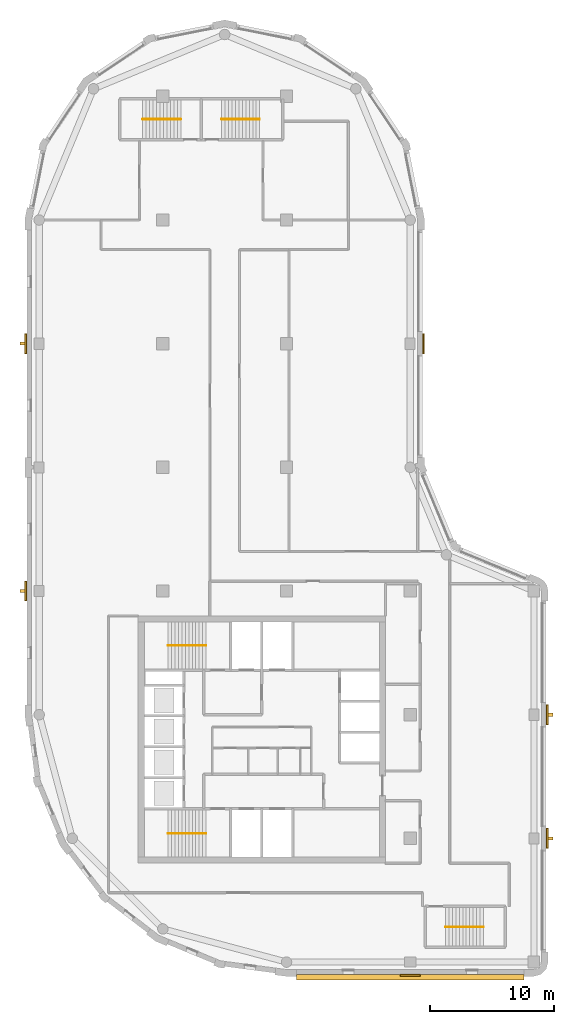
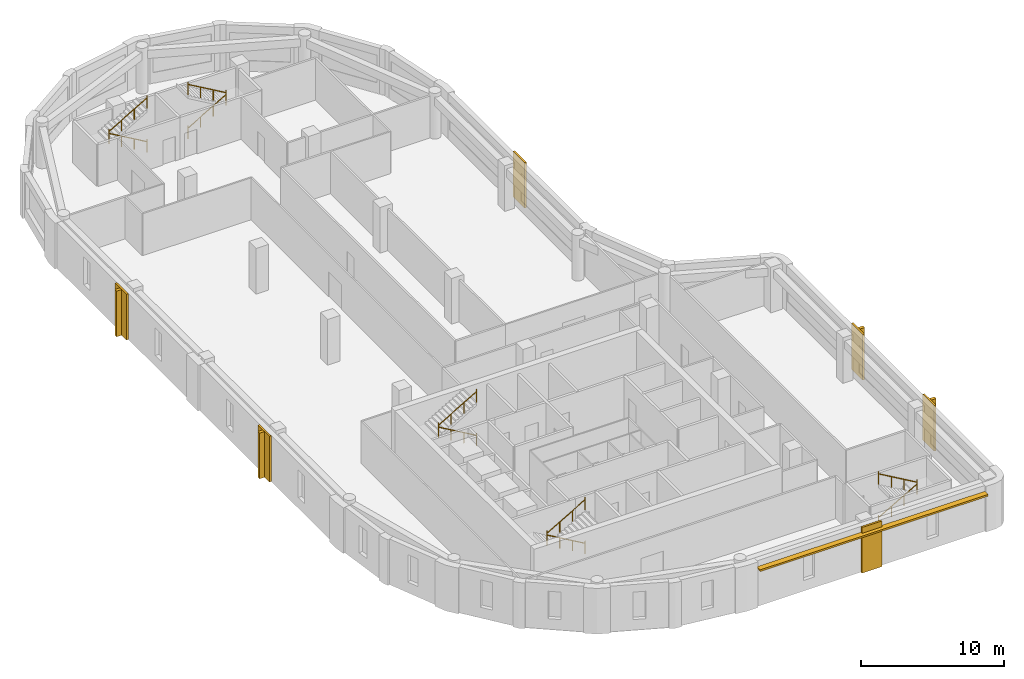
# One storey, part 7 of 8: 10 railings, 6 coverings, 5 shading devices.
"""IFC4 building model written with IfcOpenShell, lengths in metres."""

import ifcopenshell
import ifcopenshell.guid

model = None  # the IFC model being written
_history = None  # IfcOwnerHistory: only IFC2X3 demands one
_inside = {}  # id of a spatial element -> (the spatial element, [elements in it])
_under = {}  # id of a project, library or spatial element -> (it, [spatial elements below it])
_declared = {}  # id of a project -> (the project, [libraries it declares])
_typed = {}  # id of a type object -> (the type object, [elements of that type])
_made_of = {}  # id of a material, layer set ... -> (it, [elements and type objects made of it])


def new_model(schema):
    """Start an empty IFC model of exactly this schema.

    Asked for "IFC4X3", IfcOpenShell would pick the latest addendum, in which some entities
    have other attributes; the version numbers below select the first issue.
    IFC2X3 requires an IfcOwnerHistory on every rooted entity: one is made here for all.
    """
    global model, _history
    if schema == "IFC4X3":
        model = ifcopenshell.file(schema_version=(4, 3, 0, 0))
    else:
        model = ifcopenshell.file(schema=schema)
    _inside.clear()
    _under.clear()
    _declared.clear()
    _typed.clear()
    _made_of.clear()
    _history = None
    if model.schema == "IFC2X3":
        org = make("IfcOrganization", Name="unknown")
        user = make(
            "IfcPersonAndOrganization",
            ThePerson=make("IfcPerson", FamilyName="unknown"),
            TheOrganization=org,
        )
        app = make(
            "IfcApplication",
            ApplicationDeveloper=org,
            Version="unknown",
            ApplicationFullName="unknown",
            ApplicationIdentifier="unknown",
        )
        _history = make(
            "IfcOwnerHistory",
            OwningUser=user,
            OwningApplication=app,
            ChangeAction="ADDED",
            CreationDate=0,
        )
    return model


def make(cls, **values):
    """One entity of the class cls with the attributes given. An attribute that is None is left unset."""
    return model.create_entity(
        cls, **{name: value for name, value in values.items() if value is not None}
    )


def rooted(cls, **values):
    """An entity with a GlobalId (a new one), such as an element, a storey or a relation."""
    return make(cls, GlobalId=ifcopenshell.guid.new(), OwnerHistory=_history, **values)


def si_unit(unit_type, name, prefix=None):
    """IfcSIUnit, for example si_unit("LENGTHUNIT", "METRE", prefix="MILLI")."""
    return make("IfcSIUnit", UnitType=unit_type, Prefix=prefix, Name=name)


def assignment(units):
    """IfcUnitAssignment: the units of a project."""
    return None if units is None else make("IfcUnitAssignment", Units=units)


def point(xyz):
    """IfcCartesianPoint."""
    return None if xyz is None else make("IfcCartesianPoint", Coordinates=xyz)


def direction(xyz):
    """IfcDirection."""
    return None if xyz is None else make("IfcDirection", DirectionRatios=xyz)


def frame(location, z_axis=None, x_axis=None):
    """IfcAxis2Placement3D, a coordinate frame: its origin and axes. An axis left out is left unset."""
    return make(
        "IfcAxis2Placement3D",
        Location=point(location),
        Axis=direction(z_axis),
        RefDirection=direction(x_axis),
    )


def frame_2d(location, x_axis=None):
    """IfcAxis2Placement2D, a coordinate frame in the plane: its origin and x axis."""
    return make(
        "IfcAxis2Placement2D", Location=point(location), RefDirection=direction(x_axis)
    )


def origin():
    """The frame at (0, 0, 0) with its axes left unset."""
    return frame((0.0, 0.0, 0.0))


def origin_2d():
    """The frame at (0, 0) in the plane with its x axis left unset."""
    return frame_2d((0.0, 0.0))


def place(relative_to, where):
    """IfcLocalPlacement: puts the frame where relative to a parent placement (None: the world)."""
    return make(
        "IfcLocalPlacement", PlacementRelTo=relative_to, RelativePlacement=where
    )


def context(
    kind, dimensions, precision=None, world=None, true_north=None, identifier=None
):
    """IfcGeometricRepresentationContext, for example the 3D "Model" context."""
    return make(
        "IfcGeometricRepresentationContext",
        ContextIdentifier=identifier,
        ContextType=kind,
        CoordinateSpaceDimension=dimensions,
        Precision=precision,
        WorldCoordinateSystem=world,
        TrueNorth=true_north,
    )


def subcontext(parent, identifier, kind, view, scale=None):
    """IfcGeometricRepresentationSubContext, for example "Body" below "Model"."""
    return make(
        "IfcGeometricRepresentationSubContext",
        ContextIdentifier=identifier,
        ContextType=kind,
        ParentContext=parent,
        TargetScale=scale,
        TargetView=view,
    )


def project(units=None, contexts=None):
    """IfcProject with its units and contexts."""
    return rooted(
        "IfcProject",
        Name="project",
        RepresentationContexts=contexts,
        UnitsInContext=assignment(units),
    )


def spatial(cls, under=None, at=None, **own):
    """A site, building, storey or space (cls), placed at a placement, below another one or the project."""
    s = rooted(cls, ObjectPlacement=at, **own)
    if under is not None:
        _under.setdefault(under.id(), (under, []))[1].append(s)
    return s


def polyline(points):
    """IfcPolyline through the points."""
    return make("IfcPolyline", Points=[point(p) for p in points])


def profile(cls, at=None, kind="AREA", **sizes):
    """A parametric profile (cls). Its sizes go by their IFC names, for example OverallWidth=200.0."""
    return make(cls, ProfileType=kind, Position=at, **sizes)


def rectangle(**sizes):
    """IfcRectangleProfileDef."""
    return profile("IfcRectangleProfileDef", **sizes)


def circle(**sizes):
    """IfcCircleProfileDef."""
    return profile("IfcCircleProfileDef", **sizes)


def outline(outer, holes=None, kind="AREA"):
    """IfcArbitraryClosedProfileDef: a profile drawn as a closed curve; with holes, ...WithVoids."""
    if holes is None:
        return make("IfcArbitraryClosedProfileDef", ProfileType=kind, OuterCurve=outer)
    return make(
        "IfcArbitraryProfileDefWithVoids",
        ProfileType=kind,
        OuterCurve=outer,
        InnerCurves=holes,
    )


def extrude(swept, where, along, depth):
    """IfcExtrudedAreaSolid: the profile swept, set in the frame where, extruded along a direction by depth."""
    return make(
        "IfcExtrudedAreaSolid",
        SweptArea=swept,
        Position=where,
        ExtrudedDirection=direction(along),
        Depth=depth,
    )


def shape(context_of_items, identifier, shape_type, items):
    """IfcShapeRepresentation: the items that make up one representation, for example the "Body"."""
    return make(
        "IfcShapeRepresentation",
        ContextOfItems=context_of_items,
        RepresentationIdentifier=identifier,
        RepresentationType=shape_type,
        Items=items,
    )


def material(Name=None, Category=None):
    """IfcMaterial."""
    return make("IfcMaterial", Name=Name, Category=Category)


def layer(
    of_material, thickness, ventilated=None, Name=None, Category=None, Priority=None
):
    """IfcMaterialLayer: one layer of a wall or slab, of a material (None: an air gap)."""
    return make(
        "IfcMaterialLayer",
        Material=of_material,
        LayerThickness=thickness,
        IsVentilated=ventilated,
        Name=Name,
        Category=Category,
        Priority=Priority,
    )


def layer_set(layers, Name=None):
    """IfcMaterialLayerSet."""
    return make("IfcMaterialLayerSet", MaterialLayers=layers, LayerSetName=Name)


def made_of(thing, what):
    """Note that an element or type object is made of a material, layer set ...; save() writes the relation."""
    if what is not None:
        _made_of.setdefault(what.id(), (what, []))[1].append(thing)
    return thing


def type_object(cls, material=None, **own):
    """A type object (cls), such as IfcWallType, which elements share."""
    return made_of(rooted(cls, **own), material)


def element(
    cls,
    number,
    at=None,
    inside=None,
    cuts=None,
    type_object=None,
    material=None,
    context=None,
    identifier="Body",
    shape_type=None,
    held_by="IfcProductDefinitionShape",
    body=None,
    shapes=None,
    **own,
):
    """One element of the class cls, such as IfcWall. Its Tag is "e" and its number.

    at: its placement. inside: the storey or other place that contains it. cuts: it is an
    opening in that element (IfcRelVoidsElement). A single representation is given by context,
    identifier, shape_type and body (its items); several are given by shapes. held_by: the class
    of the entity that holds the representations. save() writes the other relations.
    """
    e = rooted(cls, Tag="e%d" % number, ObjectPlacement=at, **own)
    if body is not None:
        shapes = [shape(context, identifier, shape_type, body)]
    if shapes is not None:
        e.Representation = make(held_by, Representations=shapes)
    if inside is not None:
        _inside.setdefault(inside.id(), (inside, []))[1].append(e)
    if cuts is not None:
        rooted(
            "IfcRelVoidsElement", RelatingBuildingElement=cuts, RelatedOpeningElement=e
        )
    if type_object is not None:
        _typed.setdefault(type_object.id(), (type_object, []))[1].append(e)
    return made_of(e, material)


def aggregate(whole, parts):
    """IfcRelAggregates: a whole, such as a stair, and the parts it consists of."""
    return rooted("IfcRelAggregates", RelatingObject=whole, RelatedObjects=parts)


def save(model, path):
    """Write the relations noted so far, then the file.

    IfcRelAggregates (storeys below a building ...), IfcRelContainedInSpatialStructure (elements
    in a storey), IfcRelDefinesByType, IfcRelAssociatesMaterial and IfcRelDeclares: one each for
    every whole, place, type object, material and project.
    """
    for whole, parts in _under.values():
        aggregate(whole, parts)
    for where, things in _inside.values():
        rooted(
            "IfcRelContainedInSpatialStructure",
            RelatedElements=things,
            RelatingStructure=where,
        )
    for kind, things in _typed.values():
        rooted("IfcRelDefinesByType", RelatedObjects=things, RelatingType=kind)
    for what, things in _made_of.values():
        rooted("IfcRelAssociatesMaterial", RelatedObjects=things, RelatingMaterial=what)
    for by, libraries in _declared.values():
        rooted("IfcRelDeclares", RelatingContext=by, RelatedDefinitions=libraries)
    model.write(path)


model = new_model("IFC4")

# Units and contexts
model_context = context("Model", 3, precision=1e-05, world=origin(), true_north=direction((0.0, 1.0)))
body_context = subcontext(model_context, "Body", "Model", "MODEL_VIEW")
ifc_project = project(units=[si_unit("LENGTHUNIT", "METRE"), si_unit("AREAUNIT", "SQUARE_METRE"), si_unit("VOLUMEUNIT", "CUBIC_METRE"), si_unit("PLANEANGLEUNIT", "RADIAN"), si_unit("MASSUNIT", "GRAM", prefix="KILO")], contexts=[model_context])

# Site, building, storey
site_placement = place(None, origin())
site = spatial("IfcSite", under=ifc_project, at=site_placement, CompositionType="ELEMENT")
building_placement = place(site_placement, origin())
building = spatial("IfcBuilding", under=site, at=building_placement, Name="Qaws Garden Tower", CompositionType="ELEMENT")
storey_placement = place(building_placement, frame((0.0, 0.0, 337.199951171875)))
storey = spatial("IfcBuildingStorey", under=building, at=storey_placement, Name="L82", CompositionType="ELEMENT", Elevation=337.199951171875)

# Coverings
ifc_material_1 = material(Name="Clay facing brick masonry", Category="masonry")
ifc_layer_1 = layer(ifc_material_1, 0.14990234375)
ifc_layer_set_1 = layer_set([ifc_layer_1], Name="Clay facing brick masonry")
covering_type = type_object("IfcCoveringType", Name="Brick pilaster facing 150 x 1600", PredefinedType="CLADDING", material=ifc_layer_set_1)
placement = place(storey_placement, origin())
element("IfcCovering", 1, at=placement, inside=storey, type_object=covering_type, Name="E-L82-pier-01", PredefinedType="CLADDING", context=body_context, shape_type="SweptSolid", body=[
    extrude(outline(polyline([(29.199951171875, -1.0), (30.800048828125, -1.0), (30.800048828125, -1.14990234375), (29.199951171875, -1.14990234375), (29.199951171875, -1.0)])), origin(), (0.0, 0.0, 1.0), 3.900146484375),
])
element("IfcCovering", 2, at=placement, inside=storey, type_object=covering_type, Name="E-L82-pier-03", PredefinedType="CLADDING", context=body_context, shape_type="SweptSolid", body=[
    extrude(outline(polyline([(41.0, 9.199951171875), (41.0, 10.800048828125), (41.14990234375, 10.800048828125), (41.14990234375, 9.199951171875), (41.0, 9.199951171875)])), origin(), (0.0, 0.0, 1.0), 3.900146484375),
])
element("IfcCovering", 3, at=placement, inside=storey, type_object=covering_type, Name="E-L82-pier-04", PredefinedType="CLADDING", context=body_context, shape_type="SweptSolid", body=[
    extrude(outline(polyline([(41.0, 19.199951171875), (41.0, 20.800048828125), (41.14990234375, 20.800048828125), (41.14990234375, 19.199951171875), (41.0, 19.199951171875)])), origin(), (0.0, 0.0, 1.0), 3.900146484375),
])
element("IfcCovering", 4, at=placement, inside=storey, type_object=covering_type, Name="E-L82-pier-08", PredefinedType="CLADDING", context=body_context, shape_type="SweptSolid", body=[
    extrude(outline(polyline([(31.0, 49.199951171875), (31.0, 50.800048828125), (31.14990234375, 50.800048828125), (31.14990234375, 49.199951171875), (31.0, 49.199951171875)])), origin(), (0.0, 0.0, 1.0), 3.900146484375),
])
element("IfcCovering", 5, at=placement, inside=storey, type_object=covering_type, Name="E-L82-pier-18", PredefinedType="CLADDING", context=body_context, shape_type="SweptSolid", body=[
    extrude(outline(polyline([(-1.0, 50.800048828125), (-1.0, 49.199951171875), (-1.14990234375, 49.199951171875), (-1.14990234375, 50.800048828125), (-1.0, 50.800048828125)])), origin(), (0.0, 0.0, 1.0), 3.900146484375),
])
element("IfcCovering", 6, at=placement, inside=storey, type_object=covering_type, Name="E-L82-pier-20", PredefinedType="CLADDING", context=body_context, shape_type="SweptSolid", body=[
    extrude(outline(polyline([(-1.0, 30.800048828125), (-1.0, 29.199951171875), (-1.14990234375, 29.199951171875), (-1.14990234375, 30.800048828125), (-1.0, 30.800048828125)])), origin(), (0.0, 0.0, 1.0), 3.900146484375),
])

# Shading devices
ifc_material_2 = material(Name="Clay facing brick masonry", Category="masonry")
ifc_layer_2 = layer(ifc_material_2, 0.14990234375)
ifc_layer_set_2 = layer_set([ifc_layer_2], Name="Clay facing brick masonry")
shading_device_type_1 = type_object("IfcShadingDeviceType", Name="Brick sunshade band 450 x 150", PredefinedType="JALOUSIE", material=ifc_layer_set_2)
shading_device_placement = place(storey_placement, frame((0.0, 0.0, 3.25)))
element("IfcShadingDevice", 7, at=shading_device_placement, inside=storey, type_object=shading_device_type_1, Name="SUNSHADE 00", PredefinedType="JALOUSIE", context=body_context, shape_type="SweptSolid", body=[
    extrude(outline(polyline([(20.800048828125, -1.0), (20.800048828125, -1.449951171875), (39.199951171875, -1.449951171875), (39.199951171875, -1.0), (30.800048828125, -1.0), (30.800048828125, -1.14990234375), (29.199951171875, -1.14990234375), (29.199951171875, -1.0), (20.800048828125, -1.0)])), origin(), (0.0, 0.0, 1.0), 0.150146484375),
])
ifc_material_3 = material(Name="Clay facing brick masonry", Category="masonry")
ifc_layer_3 = layer(ifc_material_3, 0.25)
ifc_layer_set_3 = layer_set([ifc_layer_3], Name="Clay facing brick masonry")
shading_device_type_2 = type_object("IfcShadingDeviceType", Name="Brick-faced fin 250 x 400", PredefinedType="USERDEFINED", material=ifc_layer_set_3)
for number, where, z_axis, x_axis, name in (
    (8, (41.35009765625, 10.0, 0.0), (0.0, 0.0, 1.0), (0.0, 1.0, 0.0), "FIN 03"),
    (9, (41.35009765625, 20.0, 0.0), (0.0, 0.0, 1.0), (0.0, 1.0, 0.0), "FIN 04"),
    (10, (-1.35009765625, 50.0, 0.0), (0.0, 0.0, 1.0), (0.0, -1.0, 0.0), "FIN 18"),
    (11, (-1.35009765625, 30.0, 0.0), (0.0, 0.0, 1.0), (0.0, -1.0, 0.0), "FIN 20"),
):
    element("IfcShadingDevice", number, at=place(storey_placement, frame(where, z_axis=z_axis, x_axis=x_axis)), inside=storey, type_object=shading_device_type_2, Name=name, ObjectType="FIN", PredefinedType="USERDEFINED", context=body_context, shape_type="SweptSolid", body=[
        extrude(rectangle(XDim=0.25, YDim=0.39990234375, at=origin_2d()), origin(), (0.0, 0.0, 1.0), 3.89990234375),
    ])

# Railings
ifc_material_4 = material(Name="Steel S355", Category="steel")
railing_type = type_object("IfcRailingType", Name="Stair handrail 900", PredefinedType="HANDRAIL", material=ifc_material_4)
railing_1_placement = place(storey_placement, frame((13.5, 10.39990234375, 0.16259765625)))
element("IfcRailing", 12, at=railing_1_placement, inside=storey, type_object=railing_type, Name="Stair 1 handrail", PredefinedType="HANDRAIL", context=body_context, shape_type="SweptSolid", body=[
    extrude(circle(Radius=0.02392578125, at=origin_2d()), frame((0.0, 0.0, 0.8759765625), z_axis=(-0.864920483161, 0.0, 0.501908913857), x_axis=(0.0, -1.0, 0.0)), (0.0, 0.0, 1.0), 3.56103515625),
    extrude(circle(Radius=0.02099609375, at=origin_2d()), origin(), (0.0, 0.0, 1.0), 1.06201171875),
    extrude(circle(Radius=0.02099609375, at=origin_2d()), frame((-1.026611328125, 0.0, 0.595703125)), (0.0, 0.0, 1.0), 0.851806640625),
    extrude(circle(Radius=0.02099609375, at=origin_2d()), frame((-2.053466796875, 0.0, 1.191650390625)), (0.0, 0.0, 1.0), 0.851806640625),
    extrude(circle(Radius=0.02099609375, at=origin_2d()), frame((-3.080078125, 0.0, 1.787353515625)), (0.0, 0.0, 1.0), 1.06201171875),
])
railing_2_placement = place(storey_placement, frame((10.419921875, 10.39990234375, 2.112548828125)))
element("IfcRailing", 13, at=railing_2_placement, inside=storey, type_object=railing_type, Name="Stair 1 handrail", PredefinedType="HANDRAIL", context=body_context, shape_type="SweptSolid", body=[
    extrude(circle(Radius=0.02392578125, at=origin_2d()), frame((0.0, 0.0, 0.8759765625), z_axis=(0.864890721111, 0.0, 0.501960198159), x_axis=(0.0, 1.0, 0.0)), (0.0, 0.0, 1.0), 3.561279296875),
    extrude(circle(Radius=0.02099609375, at=origin_2d()), origin(), (0.0, 0.0, 1.0), 1.06201171875),
    extrude(circle(Radius=0.02099609375, at=origin_2d()), frame((1.026611328125, 0.0, 0.595947265625)), (0.0, 0.0, 1.0), 0.851806640625),
    extrude(circle(Radius=0.02099609375, at=origin_2d()), frame((2.053466796875, 0.0, 1.191650390625)), (0.0, 0.0, 1.0), 0.851806640625),
    extrude(circle(Radius=0.02099609375, at=origin_2d()), frame((3.080078125, 0.0, 1.78759765625)), (0.0, 0.0, 1.0), 1.06201171875),
])
railing_3_placement = place(storey_placement, frame((13.5, 25.60009765625, 0.16259765625)))
element("IfcRailing", 14, at=railing_3_placement, inside=storey, type_object=railing_type, Name="Stair 4 handrail", PredefinedType="HANDRAIL", context=body_context, shape_type="SweptSolid", body=[
    extrude(circle(Radius=0.02392578125, at=origin_2d()), frame((0.0, 0.0, 0.8759765625), z_axis=(-0.864920483161, 0.0, 0.501908913857), x_axis=(0.0, -1.0, 0.0)), (0.0, 0.0, 1.0), 3.56103515625),
    extrude(circle(Radius=0.02099609375, at=origin_2d()), origin(), (0.0, 0.0, 1.0), 1.06201171875),
    extrude(circle(Radius=0.02099609375, at=origin_2d()), frame((-1.026611328125, 0.0, 0.595703125)), (0.0, 0.0, 1.0), 0.851806640625),
    extrude(circle(Radius=0.02099609375, at=origin_2d()), frame((-2.053466796875, 0.0, 1.191650390625)), (0.0, 0.0, 1.0), 0.851806640625),
    extrude(circle(Radius=0.02099609375, at=origin_2d()), frame((-3.080078125, 0.0, 1.787353515625)), (0.0, 0.0, 1.0), 1.06201171875),
])
railing_4_placement = place(storey_placement, frame((10.419921875, 25.60009765625, 2.112548828125)))
element("IfcRailing", 15, at=railing_4_placement, inside=storey, type_object=railing_type, Name="Stair 4 handrail", PredefinedType="HANDRAIL", context=body_context, shape_type="SweptSolid", body=[
    extrude(circle(Radius=0.02392578125, at=origin_2d()), frame((0.0, 0.0, 0.8759765625), z_axis=(0.864890721111, 0.0, 0.501960198159), x_axis=(0.0, 1.0, 0.0)), (0.0, 0.0, 1.0), 3.561279296875),
    extrude(circle(Radius=0.02099609375, at=origin_2d()), origin(), (0.0, 0.0, 1.0), 1.06201171875),
    extrude(circle(Radius=0.02099609375, at=origin_2d()), frame((1.026611328125, 0.0, 0.595947265625)), (0.0, 0.0, 1.0), 0.851806640625),
    extrude(circle(Radius=0.02099609375, at=origin_2d()), frame((2.053466796875, 0.0, 1.191650390625)), (0.0, 0.0, 1.0), 0.851806640625),
    extrude(circle(Radius=0.02099609375, at=origin_2d()), frame((3.080078125, 0.0, 1.78759765625)), (0.0, 0.0, 1.0), 1.06201171875),
])
railing_5_placement = place(storey_placement, frame((32.85009765625, 2.85009765625, 0.16259765625)))
element("IfcRailing", 16, at=railing_5_placement, inside=storey, type_object=railing_type, Name="Stair 5 handrail", PredefinedType="HANDRAIL", context=body_context, shape_type="SweptSolid", body=[
    extrude(circle(Radius=0.02392578125, at=origin_2d()), frame((0.0, 0.0, 0.8759765625), z_axis=(0.864903211148, 0.0, 0.501938676878), x_axis=(0.0, 1.0, 0.0)), (0.0, 0.0, 1.0), 3.560791015625),
    extrude(circle(Radius=0.02099609375, at=origin_2d()), origin(), (0.0, 0.0, 1.0), 1.06201171875),
    extrude(circle(Radius=0.02099609375, at=origin_2d()), frame((1.026611328125, 0.0, 0.595703125)), (0.0, 0.0, 1.0), 0.851806640625),
    extrude(circle(Radius=0.02099609375, at=origin_2d()), frame((2.05322265625, 0.0, 1.191650390625)), (0.0, 0.0, 1.0), 0.851806640625),
    extrude(circle(Radius=0.02099609375, at=origin_2d()), frame((3.079833984375, 0.0, 1.787353515625)), (0.0, 0.0, 1.0), 1.06201171875),
])
railing_6_placement = place(storey_placement, frame((35.929931640625, 2.85009765625, 2.112548828125)))
element("IfcRailing", 17, at=railing_6_placement, inside=storey, type_object=railing_type, Name="Stair 5 handrail", PredefinedType="HANDRAIL", context=body_context, shape_type="SweptSolid", body=[
    extrude(circle(Radius=0.02392578125, at=origin_2d()), frame((0.0, 0.0, 0.8759765625), z_axis=(-0.864873446163, 0.0, 0.501989962173), x_axis=(0.0, -1.0, 0.0)), (0.0, 0.0, 1.0), 3.56103515625),
    extrude(circle(Radius=0.02099609375, at=origin_2d()), origin(), (0.0, 0.0, 1.0), 1.06201171875),
    extrude(circle(Radius=0.02099609375, at=origin_2d()), frame((-1.026611328125, 0.0, 0.595947265625)), (0.0, 0.0, 1.0), 0.851806640625),
    extrude(circle(Radius=0.02099609375, at=origin_2d()), frame((-2.05322265625, 0.0, 1.191650390625)), (0.0, 0.0, 1.0), 0.851806640625),
    extrude(circle(Radius=0.02099609375, at=origin_2d()), frame((-3.079833984375, 0.0, 1.78759765625)), (0.0, 0.0, 1.0), 1.06201171875),
])
railing_7_placement = place(storey_placement, frame((11.449951171875, 68.14990234375, 0.16259765625)))
element("IfcRailing", 18, at=railing_7_placement, inside=storey, type_object=railing_type, Name="Stair 6 handrail", PredefinedType="HANDRAIL", context=body_context, shape_type="SweptSolid", body=[
    extrude(circle(Radius=0.02392578125, at=origin_2d()), frame((0.0, 0.0, 0.8759765625), z_axis=(-0.864903211148, 0.0, 0.501938676878), x_axis=(0.0, -1.0, 0.0)), (0.0, 0.0, 1.0), 3.560791015625),
    extrude(circle(Radius=0.02099609375, at=origin_2d()), origin(), (0.0, 0.0, 1.0), 1.06201171875),
    extrude(circle(Radius=0.02099609375, at=origin_2d()), frame((-1.026611328125, 0.0, 0.595703125)), (0.0, 0.0, 1.0), 0.851806640625),
    extrude(circle(Radius=0.02099609375, at=origin_2d()), frame((-2.05322265625, 0.0, 1.191650390625)), (0.0, 0.0, 1.0), 0.851806640625),
    extrude(circle(Radius=0.02099609375, at=origin_2d()), frame((-3.079833984375, 0.0, 1.787353515625)), (0.0, 0.0, 1.0), 1.06201171875),
])
railing_8_placement = place(storey_placement, frame((8.3701171875, 68.14990234375, 2.112548828125)))
element("IfcRailing", 19, at=railing_8_placement, inside=storey, type_object=railing_type, Name="Stair 6 handrail", PredefinedType="HANDRAIL", context=body_context, shape_type="SweptSolid", body=[
    extrude(circle(Radius=0.02392578125, at=origin_2d()), frame((0.0, 0.0, 0.8759765625), z_axis=(0.864873446163, 0.0, 0.501989962173), x_axis=(0.0, 1.0, 0.0)), (0.0, 0.0, 1.0), 3.56103515625),
    extrude(circle(Radius=0.02099609375, at=origin_2d()), origin(), (0.0, 0.0, 1.0), 1.06201171875),
    extrude(circle(Radius=0.02099609375, at=origin_2d()), frame((1.026611328125, 0.0, 0.595947265625)), (0.0, 0.0, 1.0), 0.851806640625),
    extrude(circle(Radius=0.02099609375, at=origin_2d()), frame((2.05322265625, 0.0, 1.191650390625)), (0.0, 0.0, 1.0), 0.851806640625),
    extrude(circle(Radius=0.02099609375, at=origin_2d()), frame((3.079833984375, 0.0, 1.78759765625)), (0.0, 0.0, 1.0), 1.06201171875),
])
railing_9_placement = place(storey_placement, frame((14.75, 68.14990234375, 0.16259765625)))
element("IfcRailing", 20, at=railing_9_placement, inside=storey, type_object=railing_type, Name="Stair 7 handrail", PredefinedType="HANDRAIL", context=body_context, shape_type="SweptSolid", body=[
    extrude(circle(Radius=0.02392578125, at=origin_2d()), frame((0.0, 0.0, 0.8759765625), z_axis=(0.864920483161, 0.0, 0.501908913857), x_axis=(0.0, 1.0, 0.0)), (0.0, 0.0, 1.0), 3.56103515625),
    extrude(circle(Radius=0.02099609375, at=origin_2d()), origin(), (0.0, 0.0, 1.0), 1.06201171875),
    extrude(circle(Radius=0.02099609375, at=origin_2d()), frame((1.026611328125, 0.0, 0.595703125)), (0.0, 0.0, 1.0), 0.851806640625),
    extrude(circle(Radius=0.02099609375, at=origin_2d()), frame((2.053466796875, 0.0, 1.191650390625)), (0.0, 0.0, 1.0), 0.851806640625),
    extrude(circle(Radius=0.02099609375, at=origin_2d()), frame((3.080078125, 0.0, 1.787353515625)), (0.0, 0.0, 1.0), 1.06201171875),
])
railing_10_placement = place(storey_placement, frame((17.830078125, 68.14990234375, 2.112548828125)))
element("IfcRailing", 21, at=railing_10_placement, inside=storey, type_object=railing_type, Name="Stair 7 handrail", PredefinedType="HANDRAIL", context=body_context, shape_type="SweptSolid", body=[
    extrude(circle(Radius=0.02392578125, at=origin_2d()), frame((0.0, 0.0, 0.8759765625), z_axis=(-0.864890721111, 0.0, 0.501960198159), x_axis=(0.0, -1.0, 0.0)), (0.0, 0.0, 1.0), 3.561279296875),
    extrude(circle(Radius=0.02099609375, at=origin_2d()), origin(), (0.0, 0.0, 1.0), 1.06201171875),
    extrude(circle(Radius=0.02099609375, at=origin_2d()), frame((-1.026611328125, 0.0, 0.595947265625)), (0.0, 0.0, 1.0), 0.851806640625),
    extrude(circle(Radius=0.02099609375, at=origin_2d()), frame((-2.053466796875, 0.0, 1.191650390625)), (0.0, 0.0, 1.0), 0.851806640625),
    extrude(circle(Radius=0.02099609375, at=origin_2d()), frame((-3.080078125, 0.0, 1.78759765625)), (0.0, 0.0, 1.0), 1.06201171875),
])

save(model, "model.ifc")
